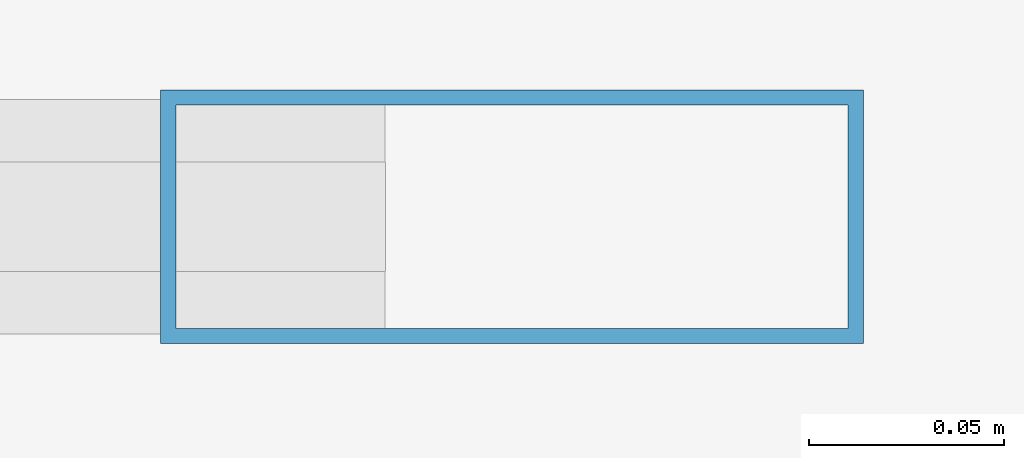
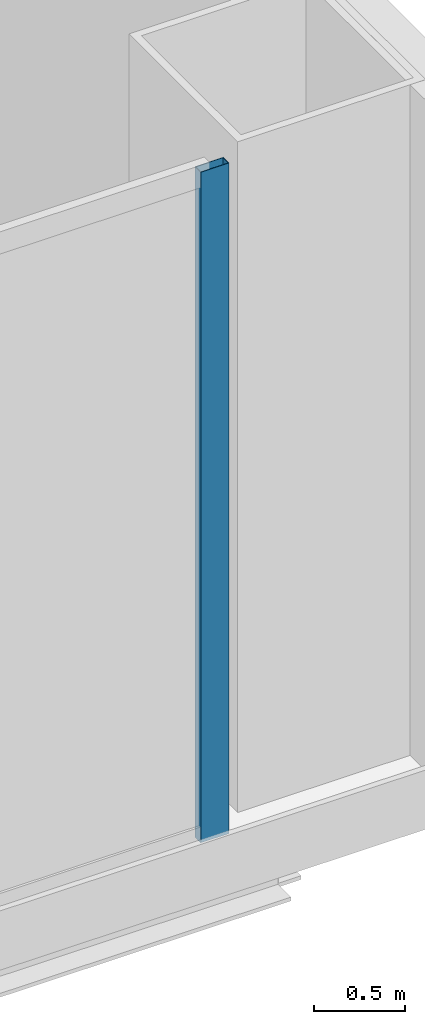
# One storey, part 16 of 40: 1 member, 1 element without a shape of its own.
"""IFC4 building model written with IfcOpenShell, lengths in metres."""

from ifc_helpers import new_model, si_unit, direction, frame, origin, origin_2d, place, context, subcontext, project, spatial, hollow_rectangle, extrude, source, transform, mapped, material, layer, layer_set, material_profile, profile_set, type_object, element, aggregate, save


model = new_model("IFC4")

# Units and contexts
model_context = context("Model", 3, precision=1e-05, world=origin(), true_north=direction((0.0, 1.0)))
body_context = subcontext(model_context, "Body", "Model", "MODEL_VIEW")
ifc_project = project(units=[si_unit("LENGTHUNIT", "METRE"), si_unit("AREAUNIT", "SQUARE_METRE"), si_unit("VOLUMEUNIT", "CUBIC_METRE"), si_unit("PLANEANGLEUNIT", "RADIAN"), si_unit("MASSUNIT", "GRAM", prefix="KILO"), si_unit("THERMODYNAMICTEMPERATUREUNIT", "KELVIN"), si_unit("POWERUNIT", "WATT")], contexts=[model_context])

# Site, building, storey
site_placement = place(None, origin())
site = spatial("IfcSite", under=ifc_project, at=site_placement, CompositionType="ELEMENT")
building_placement = place(site_placement, origin())
building = spatial("IfcBuilding", under=site, at=building_placement, Name="Yunzhuo Pagoda Commons", CompositionType="ELEMENT")
storey_placement = place(building_placement, frame((0.0, 0.0, 14.39990234375)))
storey = spatial("IfcBuildingStorey", under=building, at=storey_placement, Name="L04", CompositionType="ELEMENT", Elevation=14.39990234375)

# Curtain wall, member
ifc_material = material(Name="Anodized aluminium 6063-T6", Category="aluminium")
ifc_layer = layer(ifc_material, 0.179931640625)
ifc_layer_set = layer_set([ifc_layer], Name="Anodized aluminium 6063-T6")
curtain_wall_type = type_object("IfcCurtainWallType", Name="CW-POD Waterfront Podium Curtain Wall", PredefinedType="NOTDEFINED", material=ifc_layer_set)
curtain_wall_placement = place(storey_placement, origin())
curtain_wall = element("IfcCurtainWall", 1, at=curtain_wall_placement, inside=storey, type_object=curtain_wall_type, Name="L04 curtain wall CW-L04-S5", PredefinedType="NOTDEFINED")
ifc_material_profile = material_profile(ifc_material, hollow_rectangle(XDim=0.06494140625, YDim=0.179931640625, WallThickness=0.00390625, at=origin_2d()), Name="Anodized aluminium 6063-T6")
ifc_profile_set = profile_set([ifc_material_profile], Name="Anodized aluminium 6063-T6")
member_type = type_object("IfcMemberType", Name="CW-POD-M Mullion RHS 180x65x4", PredefinedType="MULLION", material=ifc_profile_set)
shared_shape = source(origin(), body_context, "Body", "SweptSolid", [
    extrude(hollow_rectangle(XDim=0.06494140625, YDim=0.179931640625, WallThickness=0.00390625, at=origin_2d()), origin(), (0.0, 0.0, 1.0), 4.52001953125),
])
member_placement = place(storey_placement, frame((90.367431640625, 6.080078125, 0.0), z_axis=(0.0, 0.0, 1.0), x_axis=(0.0, 1.0, 0.0)))
member = element("IfcMember", 2, at=member_placement, type_object=member_type, Name="CW mullion 3", PredefinedType="MULLION", context=body_context, shape_type="MappedRepresentation", body=[
    mapped(shared_shape, transform((0.0, 0.0, 0.0), scale=1.0)),
])
aggregate(curtain_wall, [member])

save(model, "model.ifc")
